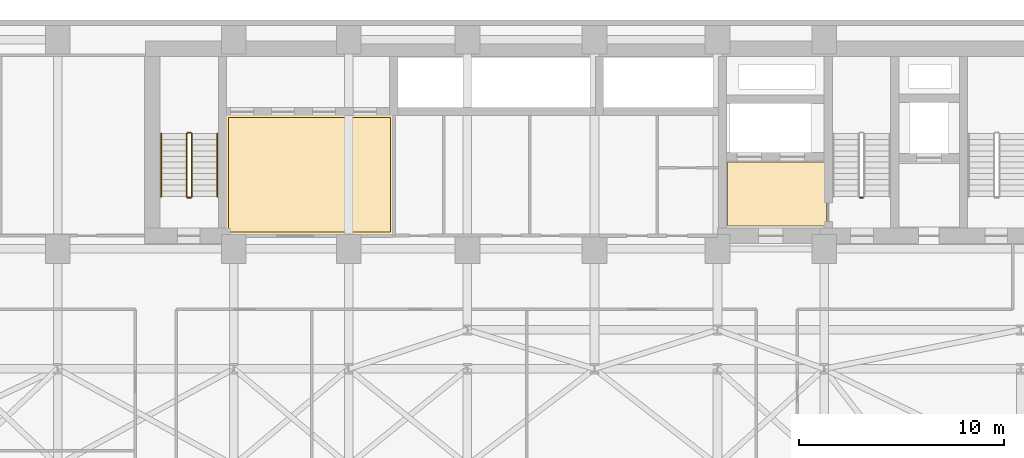
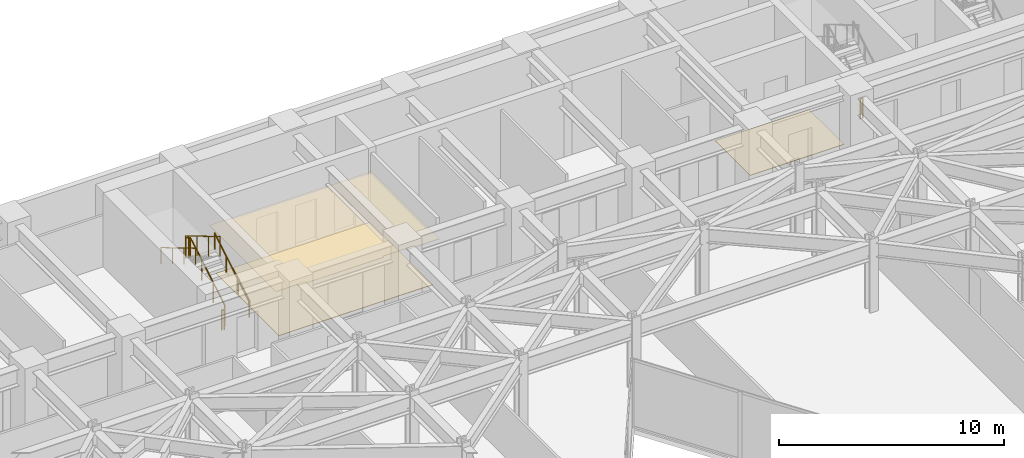
# One storey, part 24 of 25: 7 railings, 3 coverings.
"""IFC4 building model written with IfcOpenShell, lengths in metres."""

from ifc_helpers import new_model, si_unit, direction, frame, origin, origin_2d, place, context, subcontext, project, spatial, polyline, circle, outline, extrude, material, layer, layer_set, type_object, element, save


model = new_model("IFC4")

# Units and contexts
model_context = context("Model", 3, precision=1e-05, world=origin(), true_north=direction((0.0, 1.0)))
body_context = subcontext(model_context, "Body", "Model", "MODEL_VIEW")
ifc_project = project(units=[si_unit("LENGTHUNIT", "METRE"), si_unit("AREAUNIT", "SQUARE_METRE"), si_unit("VOLUMEUNIT", "CUBIC_METRE"), si_unit("PLANEANGLEUNIT", "RADIAN"), si_unit("MASSUNIT", "GRAM", prefix="KILO")], contexts=[model_context])

# Site, building, storey
site_placement = place(None, origin())
site = spatial("IfcSite", under=ifc_project, at=site_placement, CompositionType="ELEMENT")
building_placement = place(site_placement, origin())
building = spatial("IfcBuilding", under=site, at=building_placement, Name="Kravanh Interchange Tower", CompositionType="ELEMENT")
storey_placement = place(building_placement, frame((0.0, 0.0, 81.5)))
storey = spatial("IfcBuildingStorey", under=building, at=storey_placement, Name="L19", CompositionType="ELEMENT", Elevation=81.5)

# Coverings
ifc_material_1 = material(Name="Cementitious Terrazzo Tile")
ifc_layer_1 = layer(ifc_material_1, 0.030029296875)
ifc_layer_set_1 = layer_set([ifc_layer_1], Name="Honed Terrazzo Lobby Flooring 30mm")
covering_type_1 = type_object("IfcCoveringType", Name="Honed Terrazzo Lobby Flooring 30mm", PredefinedType="FLOORING", material=ifc_layer_set_1)
covering_1_placement = place(storey_placement, origin())
element("IfcCovering", 1, at=covering_1_placement, inside=storey, type_object=covering_type_1, Name="L19 Firefighting Lobby Floor Finish", PredefinedType="FLOORING", context=body_context, shape_type="SweptSolid", body=[
    extrude(outline(polyline([(56.1201171875, 38.4599609375), (51.300048828125, 38.4599609375), (51.300048828125, 41.580078125), (56.1201171875, 41.580078125), (56.1201171875, 38.4599609375)])), origin(), (0.0, 0.0, 1.0), 0.030029296875),
])
covering_2_placement = place(storey_placement, origin())
element("IfcCovering", 2, at=covering_2_placement, inside=storey, type_object=covering_type_1, Name="L19 Low-Rise Lift Lobby Floor Finish", PredefinedType="FLOORING", context=body_context, shape_type="SweptSolid", body=[
    extrude(outline(polyline([(26.929931640625, 43.77001953125), (34.840087890625, 43.77001953125), (34.840087890625, 38.179931640625), (26.929931640625, 38.179931640625), (26.929931640625, 43.77001953125)])), origin(), (0.0, 0.0, 1.0), 0.030029296875),
])
ifc_material_2 = material(Name="Acoustic Mineral Fibre Tile on Aluminium Grid", Category="aluminium")
ifc_layer_2 = layer(ifc_material_2, 0.02490234375)
ifc_layer_set_2 = layer_set([ifc_layer_2], Name="Perforated Acoustic Mineral Ceiling 25mm")
covering_type_2 = type_object("IfcCoveringType", Name="Perforated Acoustic Mineral Ceiling 25mm", PredefinedType="CEILING", material=ifc_layer_set_2)
covering_3_placement = place(storey_placement, frame((0.0, 0.0, 2.550048828125)))
element("IfcCovering", 3, at=covering_3_placement, inside=storey, type_object=covering_type_2, Name="L19 Low-Rise Lift Lobby Suspended Ceiling", PredefinedType="CEILING", context=body_context, shape_type="SweptSolid", body=[
    extrude(outline(polyline([(35.06005859375, 37.9599609375), (33.39990234375, 37.9599609375), (33.39990234375, 38.050048828125), (32.199951171875, 38.050048828125), (32.199951171875, 37.9599609375), (27.800048828125, 37.9599609375), (27.800048828125, 38.050048828125), (26.7099609375, 38.050048828125), (26.7099609375, 43.989990234375), (35.06005859375, 43.989990234375), (35.06005859375, 37.9599609375)])), origin(), (0.0, 0.0, 1.0), 0.02490234375),
])

# Railings
ifc_material_3 = material(Name="Structural Steel S355", Category="steel")
ifc_layer_3 = layer(ifc_material_3, 0.050048828125)
ifc_layer_set_3 = layer_set([ifc_layer_3], Name="Stair Well Guardrail Structural Steel S355 1100mm")
railing_type_1 = type_object("IfcRailingType", Name="Stair Well Guardrail Structural Steel S355 1100mm", PredefinedType="GUARDRAIL", material=ifc_layer_set_3)
railing_1_placement = place(storey_placement, frame((57.89990234375, 39.85009765625, 0.0)))
element("IfcRailing", 4, at=railing_1_placement, inside=storey, type_object=railing_type_1, Name="L19 ST2 stair guard 4", PredefinedType="GUARDRAIL", context=body_context, shape_type="SweptSolid", body=[
    extrude(circle(Radius=0.02392578125, at=origin_2d()), frame((0.0, 0.0, 1.076171875), z_axis=(-1.0, 0.0, 0.0), x_axis=(0.0, -1.0, 0.0)), (0.0, 0.0, 1.0), 0.14990234375),
    extrude(circle(Radius=0.02099609375, at=origin_2d()), origin(), (0.0, 0.0, 1.0), 1.052001953125),
    extrude(circle(Radius=0.02099609375, at=origin_2d()), frame((-0.14990234375, 0.0, 0.0)), (0.0, 0.0, 1.0), 1.052001953125),
])
railing_2_placement = place(storey_placement, frame((25.14990234375, 39.89990234375, 0.166748046875)))
element("IfcRailing", 5, at=railing_2_placement, inside=storey, type_object=railing_type_1, Name="L19 ST3 stair guard 1", PredefinedType="GUARDRAIL", context=body_context, shape_type="SweptSolid", body=[
    extrude(circle(Radius=0.02392578125, at=origin_2d()), frame((0.0, 0.0, 1.076171875), z_axis=(0.0, 0.859308565015, 0.511457515432), x_axis=(-1.0, 0.0, 0.0)), (0.0, 0.0, 1.0), 3.58447265625),
    extrude(circle(Radius=0.02099609375, at=origin_2d()), origin(), (0.0, 0.0, 1.0), 1.052001953125),
    extrude(circle(Radius=0.02099609375, at=origin_2d()), frame((0.0, 1.026611328125, 0.611083984375)), (0.0, 0.0, 1.0), 1.052001953125),
    extrude(circle(Radius=0.02099609375, at=origin_2d()), frame((0.0, 2.053466796875, 1.22216796875)), (0.0, 0.0, 1.0), 1.052001953125),
    extrude(circle(Radius=0.02099609375, at=origin_2d()), frame((0.0, 3.080078125, 1.833251953125)), (0.0, 0.0, 1.0), 1.052001953125),
])
railing_3_placement = place(storey_placement, frame((25.10009765625, 43.030029296875, 2.0)))
element("IfcRailing", 6, at=railing_3_placement, inside=storey, type_object=railing_type_1, Name="L19 ST3 stair guard 2", PredefinedType="GUARDRAIL", context=body_context, shape_type="SweptSolid", body=[
    extrude(circle(Radius=0.02392578125, at=origin_2d()), frame((0.0, 0.0, 1.076171875), z_axis=(-1.0, 0.0, 0.0), x_axis=(0.0, -1.0, 0.0)), (0.0, 0.0, 1.0), 0.150146484375),
    extrude(circle(Radius=0.02099609375, at=origin_2d()), origin(), (0.0, 0.0, 1.0), 1.052001953125),
    extrude(circle(Radius=0.02099609375, at=origin_2d()), frame((-0.150146484375, 0.0, 0.0)), (0.0, 0.0, 1.0), 1.052001953125),
])
railing_4_placement = place(storey_placement, frame((24.89990234375, 42.97998046875, 2.166748046875)))
element("IfcRailing", 7, at=railing_4_placement, inside=storey, type_object=railing_type_1, Name="L19 ST3 stair guard 3", PredefinedType="GUARDRAIL", context=body_context, shape_type="SweptSolid", body=[
    extrude(circle(Radius=0.02392578125, at=origin_2d()), frame((0.0, 0.0, 1.076171875), z_axis=(0.0, -0.859308565015, 0.511457515432), x_axis=(1.0, 0.0, 0.0)), (0.0, 0.0, 1.0), 3.58447265625),
    extrude(circle(Radius=0.02099609375, at=origin_2d()), origin(), (0.0, 0.0, 1.0), 1.052001953125),
    extrude(circle(Radius=0.02099609375, at=origin_2d()), frame((0.0, -1.026611328125, 0.611083984375)), (0.0, 0.0, 1.0), 1.052001953125),
    extrude(circle(Radius=0.02099609375, at=origin_2d()), frame((0.0, -2.053466796875, 1.22216796875)), (0.0, 0.0, 1.0), 1.052001953125),
    extrude(circle(Radius=0.02099609375, at=origin_2d()), frame((0.0, -3.080078125, 1.833251953125)), (0.0, 0.0, 1.0), 1.052001953125),
])
railing_5_placement = place(storey_placement, frame((25.10009765625, 39.85009765625, 0.0)))
element("IfcRailing", 8, at=railing_5_placement, inside=storey, type_object=railing_type_1, Name="L19 ST3 stair guard 4", PredefinedType="GUARDRAIL", context=body_context, shape_type="SweptSolid", body=[
    extrude(circle(Radius=0.02392578125, at=origin_2d()), frame((0.0, 0.0, 1.076171875), z_axis=(-1.0, 0.0, 0.0), x_axis=(0.0, -1.0, 0.0)), (0.0, 0.0, 1.0), 0.150146484375),
    extrude(circle(Radius=0.02099609375, at=origin_2d()), origin(), (0.0, 0.0, 1.0), 1.052001953125),
    extrude(circle(Radius=0.02099609375, at=origin_2d()), frame((-0.150146484375, 0.0, 0.0)), (0.0, 0.0, 1.0), 1.052001953125),
])
ifc_material_4 = material(Name="Stainless Steel 304", Category="steel")
ifc_layer_4 = layer(ifc_material_4, 0.044921875)
ifc_layer_set_4 = layer_set([ifc_layer_4], Name="Tubular Stair Handrail Stainless 304 900mm")
railing_type_2 = type_object("IfcRailingType", Name="Tubular Stair Handrail Stainless 304 900mm", PredefinedType="HANDRAIL", material=ifc_layer_set_4)
railing_6_placement = place(storey_placement, frame((26.39990234375, 39.89990234375, 0.166748046875)))
element("IfcRailing", 9, at=railing_6_placement, inside=storey, type_object=railing_type_2, Name="L19 ST3 stair handrail 1", PredefinedType="HANDRAIL", context=body_context, shape_type="SweptSolid", body=[
    extrude(circle(Radius=0.02392578125, at=origin_2d()), frame((0.0, 0.0, 0.8759765625), z_axis=(0.0, 0.859308565015, 0.511457515432), x_axis=(-1.0, 0.0, 0.0)), (0.0, 0.0, 1.0), 3.58447265625),
    extrude(circle(Radius=0.02099609375, at=origin_2d()), origin(), (0.0, 0.0, 1.0), 0.851806640625),
    extrude(circle(Radius=0.02099609375, at=origin_2d()), frame((0.0, 1.026611328125, 0.611083984375)), (0.0, 0.0, 1.0), 0.851806640625),
    extrude(circle(Radius=0.02099609375, at=origin_2d()), frame((0.0, 2.053466796875, 1.22216796875)), (0.0, 0.0, 1.0), 0.851806640625),
    extrude(circle(Radius=0.02099609375, at=origin_2d()), frame((0.0, 3.080078125, 1.833251953125)), (0.0, 0.0, 1.0), 0.851806640625),
])
railing_7_placement = place(storey_placement, frame((23.64990234375, 42.97998046875, 2.166748046875)))
element("IfcRailing", 10, at=railing_7_placement, inside=storey, type_object=railing_type_2, Name="L19 ST3 stair handrail 2", PredefinedType="HANDRAIL", context=body_context, shape_type="SweptSolid", body=[
    extrude(circle(Radius=0.02392578125, at=origin_2d()), frame((0.0, 0.0, 0.8759765625), z_axis=(0.0, -0.859308565015, 0.511457515432), x_axis=(1.0, 0.0, 0.0)), (0.0, 0.0, 1.0), 3.58447265625),
    extrude(circle(Radius=0.02099609375, at=origin_2d()), origin(), (0.0, 0.0, 1.0), 0.851806640625),
    extrude(circle(Radius=0.02099609375, at=origin_2d()), frame((0.0, -1.026611328125, 0.611083984375)), (0.0, 0.0, 1.0), 0.851806640625),
    extrude(circle(Radius=0.02099609375, at=origin_2d()), frame((0.0, -2.053466796875, 1.22216796875)), (0.0, 0.0, 1.0), 0.851806640625),
    extrude(circle(Radius=0.02099609375, at=origin_2d()), frame((0.0, -3.080078125, 1.833251953125)), (0.0, 0.0, 1.0), 0.851806640625),
])

save(model, "model.ifc")
